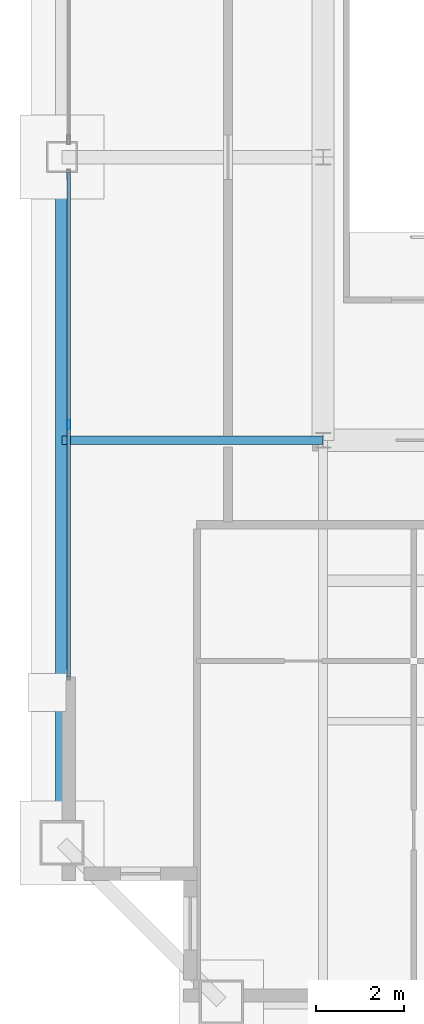
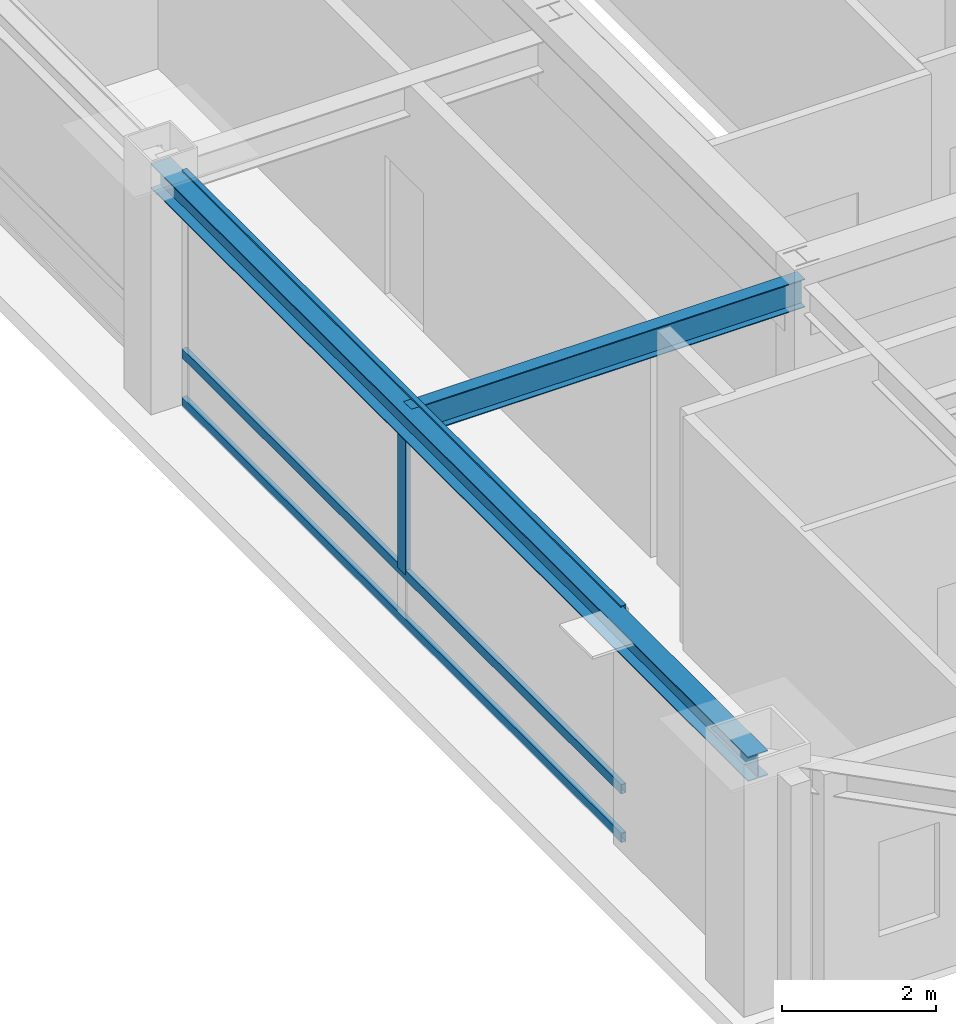
# One storey, part 6 of 34: 4 members, 2 beams, 1 element without a shape of its own.
"""IFC4 building model written with IfcOpenShell, lengths in metres."""

from ifc_helpers import new_model, si_unit, direction, frame, origin, origin_2d, place, context, subcontext, project, spatial, hollow_rectangle, i_section, extrude, source, transform, mapped, material, layer, layer_set, material_profile, profile_set, type_object, element, aggregate, save


model = new_model("IFC4")

# Units and contexts
model_context = context("Model", 3, precision=1e-05, world=origin(), true_north=direction((0.0, 1.0)))
body_context = subcontext(model_context, "Body", "Model", "MODEL_VIEW")
ifc_project = project(units=[si_unit("LENGTHUNIT", "METRE"), si_unit("AREAUNIT", "SQUARE_METRE"), si_unit("VOLUMEUNIT", "CUBIC_METRE"), si_unit("PLANEANGLEUNIT", "RADIAN"), si_unit("MASSUNIT", "GRAM", prefix="KILO"), si_unit("THERMODYNAMICTEMPERATUREUNIT", "KELVIN"), si_unit("POWERUNIT", "WATT")], contexts=[model_context])

# Site, building, storey
site_placement = place(None, origin())
site = spatial("IfcSite", under=ifc_project, at=site_placement, CompositionType="ELEMENT")
building_placement = place(site_placement, origin())
building = spatial("IfcBuilding", under=site, at=building_placement, Name="Yuzanri Waterfront Tower", CompositionType="ELEMENT")
storey_placement = place(building_placement, frame((0.0, 0.0, 347.199951171875)))
storey = spatial("IfcBuildingStorey", under=building, at=storey_placement, Name="L93", CompositionType="ELEMENT", Elevation=347.199951171875)

# Beams
ifc_material_1 = material(Name="Steel Q355B", Category="steel")
ifc_material_profile_1 = material_profile(ifc_material_1, i_section(OverallWidth=0.300048828125, OverallDepth=0.389892578125, WebThickness=0.010009765625, FlangeThickness=0.01611328125, at=origin_2d()), Name="HM 390x300x10x16")
ifc_profile_set_1 = profile_set([ifc_material_profile_1], Name="Steel Q355B")
beam_type_1 = type_object("IfcBeamType", Name="Perimeter Spandrel Q355B HM 390x300", PredefinedType="SPANDREL", material=ifc_profile_set_1)
shared_shape_1 = source(origin(), body_context, "Body", "SweptSolid", [
    extrude(i_section(OverallWidth=0.300048828125, OverallDepth=0.389892578125, WebThickness=0.010009765625, FlangeThickness=0.01611328125, at=origin_2d()), origin(), (0.0, 0.0, 1.0), 15.5),
])
beam_1_placement = place(storey_placement, frame((17.89990234375, 25.800048828125, 3.505126953125), z_axis=(0.0, -1.0, 0.0), x_axis=(1.0, 0.0, 0.0)))
element("IfcBeam", 1, at=beam_1_placement, inside=storey, type_object=beam_type_1, Name="L93 Perimeter Spandrel W2-W1", PredefinedType="SPANDREL", context=body_context, shape_type="MappedRepresentation", body=[
    mapped(shared_shape_1, transform((0.0, 0.0, 0.0), scale=1.0)),
])
ifc_material_2 = material(Name="Steel Q355B", Category="steel")
ifc_material_profile_2 = material_profile(ifc_material_2, i_section(OverallWidth=0.199951171875, OverallDepth=0.449951171875, WebThickness=0.009033203125, FlangeThickness=0.013916015625, at=origin_2d()), Name="HN 450x200x9x14")
ifc_profile_set_2 = profile_set([ifc_material_profile_2], Name="Steel Q355B")
beam_type_2 = type_object("IfcBeamType", Name="Secondary Floor Beam Q355B HN 450x200", PredefinedType="BEAM", material=ifc_profile_set_2)
shared_shape_2 = source(origin(), body_context, "Body", "SweptSolid", [
    extrude(i_section(OverallWidth=0.199951171875, OverallDepth=0.449951171875, WebThickness=0.009033203125, FlangeThickness=0.013916015625, at=origin_2d()), origin(), (0.0, 0.0, 1.0), 5.900146484375),
])
beam_2_placement = place(storey_placement, frame((23.800048828125, 19.39990234375, 3.47509765625), z_axis=(-1.0, 0.0, 0.0), x_axis=(0.0, -1.0, 0.0)))
element("IfcBeam", 2, at=beam_2_placement, inside=storey, type_object=beam_type_2, Name="L93 West-South Core Line Beam", PredefinedType="BEAM", context=body_context, shape_type="MappedRepresentation", body=[
    mapped(shared_shape_2, transform((0.0, 0.0, 0.0), scale=1.0)),
])

# Curtain wall, members
ifc_material_3 = material(Name="Anodized Architectural Bronze", Category="metal")
ifc_layer = layer(ifc_material_3, 0.159912109375)
ifc_layer_set = layer_set([ifc_layer], Name="Anodized Architectural Bronze")
curtain_wall_type = type_object("IfcCurtainWallType", Name="Anodized Bronze High-Rise Penthouse High-Wind Unitized Curtain Wall 6900", PredefinedType="NOTDEFINED", material=ifc_layer_set)
curtain_wall_placement = place(storey_placement, origin())
curtain_wall = element("IfcCurtainWall", 3, at=curtain_wall_placement, inside=storey, type_object=curtain_wall_type, Name="L93 Curtain Wall CW-L93-WL", PredefinedType="NOTDEFINED")
ifc_material_4 = material(Name="Anodized Architectural Bronze", Category="metal")
ifc_material_profile_3 = material_profile(ifc_material_4, hollow_rectangle(XDim=0.074951171875, YDim=0.14990234375, WallThickness=0.00390625, at=origin_2d()), Name="CWT 75x150")
ifc_profile_set_3 = profile_set([ifc_material_profile_3], Name="Anodized Architectural Bronze")
member_type_1 = type_object("IfcMemberType", Name="Anodized Bronze Primary Curtain-Wall Transom 75x150", PredefinedType="USERDEFINED", material=ifc_profile_set_3)
shared_shape_3 = source(origin(), body_context, "Body", "SweptSolid", [
    extrude(hollow_rectangle(XDim=0.074951171875, YDim=0.14990234375, WallThickness=0.00390625, at=origin_2d()), origin(), (0.0, 0.0, 1.0), 11.39990234375),
])
member_1_placement = place(storey_placement, frame((18.050048828125, 14.050048828125, 0.050048828125), z_axis=(0.0, 1.0, 0.0), x_axis=(-1.0, 0.0, 0.0)))
member_1 = element("IfcMember", 4, at=member_1_placement, type_object=member_type_1, Name="CW-L93-WL Transom 1", ObjectType="TRANSOM", PredefinedType="USERDEFINED", context=body_context, shape_type="MappedRepresentation", body=[
    mapped(shared_shape_3, transform((0.0, 0.0, 0.0), scale=1.0)),
])
member_2_placement = place(storey_placement, frame((18.050048828125, 14.050048828125, 0.820068359375), z_axis=(0.0, 1.0, 0.0), x_axis=(-1.0, 0.0, 0.0)))
member_2 = element("IfcMember", 5, at=member_2_placement, type_object=member_type_1, Name="CW-L93-WL Transom 2", ObjectType="TRANSOM", PredefinedType="USERDEFINED", context=body_context, shape_type="MappedRepresentation", body=[
    mapped(shared_shape_3, transform((0.0, 0.0, 0.0), scale=1.0)),
])
member_3_placement = place(storey_placement, frame((18.050048828125, 14.050048828125, 3.650146484375), z_axis=(0.0, 1.0, 0.0), x_axis=(-1.0, 0.0, 0.0)))
member_3 = element("IfcMember", 6, at=member_3_placement, type_object=member_type_1, Name="CW-L93-WL Transom 3", ObjectType="TRANSOM", PredefinedType="USERDEFINED", context=body_context, shape_type="MappedRepresentation", body=[
    mapped(shared_shape_3, transform((0.0, 0.0, 0.0), scale=1.0)),
])
ifc_material_5 = material(Name="Anodized Architectural Bronze", Category="metal")
ifc_material_profile_4 = material_profile(ifc_material_5, hollow_rectangle(XDim=0.074951171875, YDim=0.199951171875, WallThickness=0.00390625, at=origin_2d()), Name="CWM 75x200")
ifc_profile_set_4 = profile_set([ifc_material_profile_4], Name="Anodized Architectural Bronze")
member_type_2 = type_object("IfcMemberType", Name="Anodized Bronze Primary Curtain-Wall Mullion 75x200", PredefinedType="MULLION", material=ifc_profile_set_4)
shared_shape_4 = source(origin(), body_context, "Body", "SweptSolid", [
    extrude(hollow_rectangle(XDim=0.074951171875, YDim=0.199951171875, WallThickness=0.00390625, at=origin_2d()), origin(), (0.0, 0.0, 1.0), 2.8779296875),
])
member_4_placement = place(storey_placement, frame((18.050048828125, 19.75, 0.822021484375), z_axis=(0.0, 0.0, 1.0), x_axis=(1.0, 0.0, 0.0)))
member_4 = element("IfcMember", 7, at=member_4_placement, type_object=member_type_2, Name="CW-L93-WL Upper Mullion 01", PredefinedType="MULLION", context=body_context, shape_type="MappedRepresentation", body=[
    mapped(shared_shape_4, transform((0.0, 0.0, 0.0), scale=1.0)),
])
aggregate(curtain_wall, [member_4, member_1, member_2, member_3])

save(model, "model.ifc")
